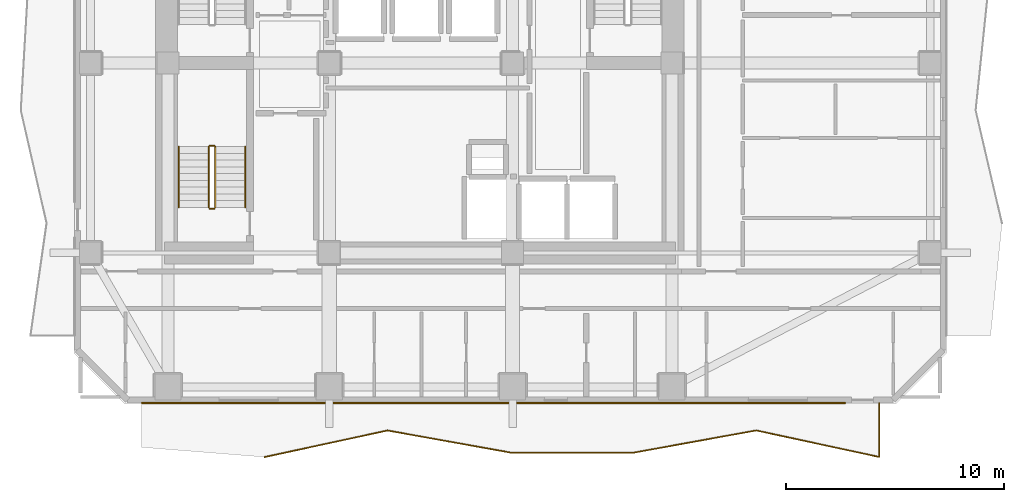
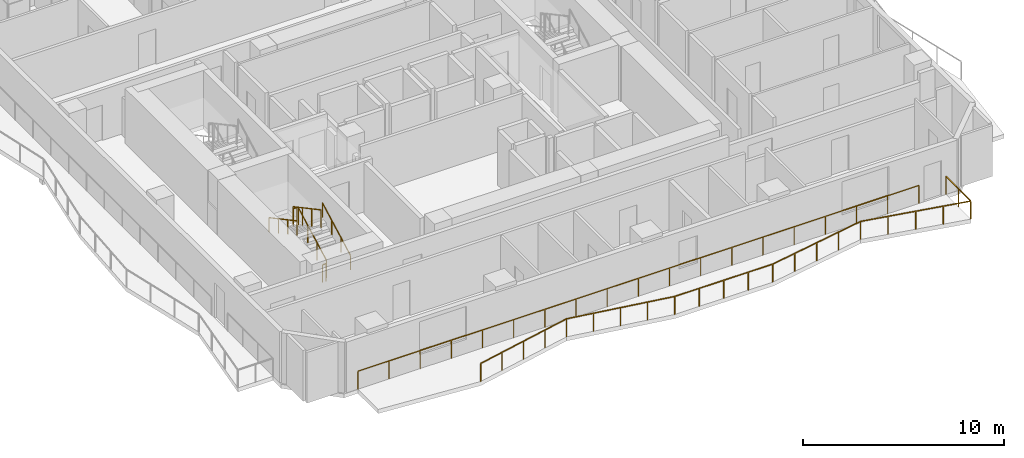
# One storey, part 8 of 11: 8 railings.
"""IFC4 building model written with IfcOpenShell, lengths in metres."""

from ifc_helpers import new_model, si_unit, direction, frame, origin, origin_2d, place, context, subcontext, project, spatial, rectangle, extrude, material, type_object, element, save


model = new_model("IFC4")

# Units and contexts
model_context = context("Model", 3, precision=1e-05, world=origin(), true_north=direction((0.0, 1.0)))
body_context = subcontext(model_context, "Body", "Model", "MODEL_VIEW")
ifc_project = project(units=[si_unit("LENGTHUNIT", "METRE"), si_unit("AREAUNIT", "SQUARE_METRE"), si_unit("VOLUMEUNIT", "CUBIC_METRE"), si_unit("PLANEANGLEUNIT", "RADIAN"), si_unit("MASSUNIT", "GRAM", prefix="KILO")], contexts=[model_context])

# Site, building, storey
site_placement = place(None, origin())
site = spatial("IfcSite", under=ifc_project, at=site_placement, CompositionType="ELEMENT")
building_placement = place(site_placement, origin())
building = spatial("IfcBuilding", under=site, at=building_placement, Name="Solanera Arch Residences", CompositionType="ELEMENT")
storey_placement = place(building_placement, frame((0.0, 0.0, 149.239990234375)))
storey = spatial("IfcBuildingStorey", under=building, at=storey_placement, Name="L43", CompositionType="ELEMENT", Elevation=149.239990234375)

# Railings
ifc_material_1 = material(Name="Steel S355 (ASTM A992 / A572 Grade 50)", Category="steel")
railing_type_1 = type_object("IfcRailingType", Name="Balustrade Railing BL-1100", PredefinedType="BALUSTRADE", material=ifc_material_1)
railing_1_placement = place(storey_placement, frame((17.8330078125, 12.638916015625, 0.0)))
element("IfcRailing", 1, at=railing_1_placement, inside=storey, type_object=railing_type_1, Name="L43 S Balcony Balustrade 1", PredefinedType="BALUSTRADE", context=body_context, shape_type="SweptSolid", body=[
    extrude(rectangle(XDim=0.048095703125, YDim=0.048095703125, at=origin_2d()), frame((0.0, 0.0, 1.09619140625), z_axis=(0.97738460027, 0.211469485165, 0.0), x_axis=(-0.211469485165, 0.97738460027, 0.0)), (0.0, 0.0, 1.0), 5.764404296875),
    extrude(rectangle(XDim=0.048095703125, YDim=0.048095703125, at=origin_2d()), frame((5.634033203125, 1.218994140625, 1.09619140625), z_axis=(0.984243807217, -0.17681665067, 0.0), x_axis=(0.17681665067, 0.984243807217, 0.0)), (0.0, 0.0, 1.0), 5.72314453125),
    extrude(rectangle(XDim=0.048095703125, YDim=0.048095703125, at=origin_2d()), frame((11.26708984375, 0.20703125, 1.09619140625), z_axis=(0.999998977115, -0.001430303669, 0.0), x_axis=(0.001430303669, 0.999998977115, 0.0)), (0.0, 0.0, 1.0), 5.6328125),
    extrude(rectangle(XDim=0.048095703125, YDim=0.048095703125, at=origin_2d()), frame((16.89990234375, 0.198974609375, 1.09619140625), z_axis=(0.98393601554, 0.178521475801, 0.0), x_axis=(-0.178521475801, 0.98393601554, 0.0)), (0.0, 0.0, 1.0), 5.72607421875),
    extrude(rectangle(XDim=0.048095703125, YDim=0.048095703125, at=origin_2d()), frame((22.533935546875, 1.22119140625, 1.09619140625), z_axis=(0.977516934898, -0.210856923026, 0.0), x_axis=(0.210856923026, 0.977516934898, 0.0)), (0.0, 0.0, 1.0), 5.7626953125),
    extrude(rectangle(XDim=0.048095703125, YDim=0.048095703125, at=origin_2d()), frame((28.1669921875, 0.006103515625, 1.09619140625), z_axis=(0.0, 1.0, 0.0), x_axis=(-1.0, 0.0, 0.0)), (0.0, 0.0, 1.0), 2.47509765625),
    extrude(rectangle(XDim=0.0419921875, YDim=0.0419921875, at=origin_2d()), origin(), (0.0, 0.0, 1.0), 1.072021484375),
    extrude(rectangle(XDim=0.0419921875, YDim=0.0419921875, at=origin_2d()), frame((1.408447265625, 0.3046875, 0.0)), (0.0, 0.0, 1.0), 1.072021484375),
    extrude(rectangle(XDim=0.0419921875, YDim=0.0419921875, at=origin_2d()), frame((2.81689453125, 0.609375, 0.0)), (0.0, 0.0, 1.0), 1.072021484375),
    extrude(rectangle(XDim=0.0419921875, YDim=0.0419921875, at=origin_2d()), frame((4.2255859375, 0.914306640625, 0.0)), (0.0, 0.0, 1.0), 1.072021484375),
    extrude(rectangle(XDim=0.0419921875, YDim=0.0419921875, at=origin_2d()), frame((5.634033203125, 1.218994140625, 0.0)), (0.0, 0.0, 1.0), 1.072021484375),
    extrude(rectangle(XDim=0.0419921875, YDim=0.0419921875, at=origin_2d()), frame((7.042236328125, 0.966064453125, 0.0)), (0.0, 0.0, 1.0), 1.072021484375),
    extrude(rectangle(XDim=0.0419921875, YDim=0.0419921875, at=origin_2d()), frame((8.45068359375, 0.712890625, 0.0)), (0.0, 0.0, 1.0), 1.072021484375),
    extrude(rectangle(XDim=0.0419921875, YDim=0.0419921875, at=origin_2d()), frame((9.85888671875, 0.4599609375, 0.0)), (0.0, 0.0, 1.0), 1.072021484375),
    extrude(rectangle(XDim=0.0419921875, YDim=0.0419921875, at=origin_2d()), frame((11.26708984375, 0.20703125, 0.0)), (0.0, 0.0, 1.0), 1.072021484375),
    extrude(rectangle(XDim=0.0419921875, YDim=0.0419921875, at=origin_2d()), frame((12.67529296875, 0.205078125, 0.0)), (0.0, 0.0, 1.0), 1.072021484375),
    extrude(rectangle(XDim=0.0419921875, YDim=0.0419921875, at=origin_2d()), frame((14.08349609375, 0.203125, 0.0)), (0.0, 0.0, 1.0), 1.072021484375),
    extrude(rectangle(XDim=0.0419921875, YDim=0.0419921875, at=origin_2d()), frame((15.49169921875, 0.200927734375, 0.0)), (0.0, 0.0, 1.0), 1.072021484375),
    extrude(rectangle(XDim=0.0419921875, YDim=0.0419921875, at=origin_2d()), frame((16.89990234375, 0.198974609375, 0.0)), (0.0, 0.0, 1.0), 1.072021484375),
    extrude(rectangle(XDim=0.0419921875, YDim=0.0419921875, at=origin_2d()), frame((18.308349609375, 0.45458984375, 0.0)), (0.0, 0.0, 1.0), 1.072021484375),
    extrude(rectangle(XDim=0.0419921875, YDim=0.0419921875, at=origin_2d()), frame((19.716796875, 0.7099609375, 0.0)), (0.0, 0.0, 1.0), 1.072021484375),
    extrude(rectangle(XDim=0.0419921875, YDim=0.0419921875, at=origin_2d()), frame((21.12548828125, 0.965576171875, 0.0)), (0.0, 0.0, 1.0), 1.072021484375),
    extrude(rectangle(XDim=0.0419921875, YDim=0.0419921875, at=origin_2d()), frame((22.533935546875, 1.22119140625, 0.0)), (0.0, 0.0, 1.0), 1.072021484375),
    extrude(rectangle(XDim=0.0419921875, YDim=0.0419921875, at=origin_2d()), frame((23.942138671875, 0.91748046875, 0.0)), (0.0, 0.0, 1.0), 1.072021484375),
    extrude(rectangle(XDim=0.0419921875, YDim=0.0419921875, at=origin_2d()), frame((25.3505859375, 0.61376953125, 0.0)), (0.0, 0.0, 1.0), 1.072021484375),
    extrude(rectangle(XDim=0.0419921875, YDim=0.0419921875, at=origin_2d()), frame((26.7587890625, 0.309814453125, 0.0)), (0.0, 0.0, 1.0), 1.072021484375),
    extrude(rectangle(XDim=0.0419921875, YDim=0.0419921875, at=origin_2d()), frame((28.1669921875, 0.006103515625, 0.0)), (0.0, 0.0, 1.0), 1.072021484375),
    extrude(rectangle(XDim=0.0419921875, YDim=0.0419921875, at=origin_2d()), frame((28.1669921875, 1.24365234375, 0.0)), (0.0, 0.0, 1.0), 1.072021484375),
    extrude(rectangle(XDim=0.0419921875, YDim=0.0419921875, at=origin_2d()), frame((28.1669921875, 2.481201171875, 0.0)), (0.0, 0.0, 1.0), 1.072021484375),
])
railing_2_placement = place(storey_placement, frame((44.44091796875, 15.1201171875, 0.0)))
element("IfcRailing", 2, at=railing_2_placement, inside=storey, type_object=railing_type_1, Name="L43 S Balcony Balustrade 2", PredefinedType="BALUSTRADE", context=body_context, shape_type="SweptSolid", body=[
    extrude(rectangle(XDim=0.048095703125, YDim=0.048095703125, at=origin_2d()), frame((0.0, 0.0, 1.09619140625), z_axis=(-1.0, 0.0, 0.0), x_axis=(0.0, -1.0, 0.0)), (0.0, 0.0, 1.0), 32.240966796875),
    extrude(rectangle(XDim=0.0419921875, YDim=0.0419921875, at=origin_2d()), origin(), (0.0, 0.0, 1.0), 1.072021484375),
    extrude(rectangle(XDim=0.0419921875, YDim=0.0419921875, at=origin_2d()), frame((-1.791259765625, 0.0, 0.0)), (0.0, 0.0, 1.0), 1.072021484375),
    extrude(rectangle(XDim=0.0419921875, YDim=0.0419921875, at=origin_2d()), frame((-3.582275390625, 0.0, 0.0)), (0.0, 0.0, 1.0), 1.072021484375),
    extrude(rectangle(XDim=0.0419921875, YDim=0.0419921875, at=origin_2d()), frame((-5.37353515625, 0.0, 0.0)), (0.0, 0.0, 1.0), 1.072021484375),
    extrude(rectangle(XDim=0.0419921875, YDim=0.0419921875, at=origin_2d()), frame((-7.16455078125, 0.0, 0.0)), (0.0, 0.0, 1.0), 1.072021484375),
    extrude(rectangle(XDim=0.0419921875, YDim=0.0419921875, at=origin_2d()), frame((-8.955810546875, 0.0, 0.0)), (0.0, 0.0, 1.0), 1.072021484375),
    extrude(rectangle(XDim=0.0419921875, YDim=0.0419921875, at=origin_2d()), frame((-10.7470703125, 0.0, 0.0)), (0.0, 0.0, 1.0), 1.072021484375),
    extrude(rectangle(XDim=0.0419921875, YDim=0.0419921875, at=origin_2d()), frame((-12.5380859375, 0.0, 0.0)), (0.0, 0.0, 1.0), 1.072021484375),
    extrude(rectangle(XDim=0.0419921875, YDim=0.0419921875, at=origin_2d()), frame((-14.329345703125, 0.0, 0.0)), (0.0, 0.0, 1.0), 1.072021484375),
    extrude(rectangle(XDim=0.0419921875, YDim=0.0419921875, at=origin_2d()), frame((-16.12060546875, 0.0, 0.0)), (0.0, 0.0, 1.0), 1.072021484375),
    extrude(rectangle(XDim=0.0419921875, YDim=0.0419921875, at=origin_2d()), frame((-17.91162109375, 0.0, 0.0)), (0.0, 0.0, 1.0), 1.072021484375),
    extrude(rectangle(XDim=0.0419921875, YDim=0.0419921875, at=origin_2d()), frame((-19.702880859375, 0.0, 0.0)), (0.0, 0.0, 1.0), 1.072021484375),
    extrude(rectangle(XDim=0.0419921875, YDim=0.0419921875, at=origin_2d()), frame((-21.493896484375, 0.0, 0.0)), (0.0, 0.0, 1.0), 1.072021484375),
    extrude(rectangle(XDim=0.0419921875, YDim=0.0419921875, at=origin_2d()), frame((-23.28515625, 0.0, 0.0)), (0.0, 0.0, 1.0), 1.072021484375),
    extrude(rectangle(XDim=0.0419921875, YDim=0.0419921875, at=origin_2d()), frame((-25.076416015625, 0.0, 0.0)), (0.0, 0.0, 1.0), 1.072021484375),
    extrude(rectangle(XDim=0.0419921875, YDim=0.0419921875, at=origin_2d()), frame((-26.867431640625, 0.0, 0.0)), (0.0, 0.0, 1.0), 1.072021484375),
    extrude(rectangle(XDim=0.0419921875, YDim=0.0419921875, at=origin_2d()), frame((-28.65869140625, 0.0, 0.0)), (0.0, 0.0, 1.0), 1.072021484375),
    extrude(rectangle(XDim=0.0419921875, YDim=0.0419921875, at=origin_2d()), frame((-30.44970703125, 0.0, 0.0)), (0.0, 0.0, 1.0), 1.072021484375),
    extrude(rectangle(XDim=0.0419921875, YDim=0.0419921875, at=origin_2d()), frame((-32.240966796875, 0.0, 0.0)), (0.0, 0.0, 1.0), 1.072021484375),
])
ifc_material_2 = material(Name="Steel S355 (ASTM A992 / A572 Grade 50)", Category="steel")
railing_type_2 = type_object("IfcRailingType", Name="Stair Guardrail GR-1100", PredefinedType="GUARDRAIL", material=ifc_material_2)
railing_3_placement = place(storey_placement, frame((15.570068359375, 24.080078125, 0.151123046875)))
element("IfcRailing", 3, at=railing_3_placement, inside=storey, type_object=railing_type_2, Name="L43 ST-T3 stair guard 1", PredefinedType="GUARDRAIL", context=body_context, shape_type="SweptSolid", body=[
    extrude(rectangle(XDim=0.048095703125, YDim=0.048095703125, at=origin_2d()), frame((0.0, 0.0, 1.076171875), z_axis=(0.0, 0.881580869306, 0.472033018838), x_axis=(-1.0, 0.0, 0.0)), (0.0, 0.0, 1.0), 3.164794921875),
    extrude(rectangle(XDim=0.0419921875, YDim=0.0419921875, at=origin_2d()), origin(), (0.0, 0.0, 1.0), 1.052001953125),
    extrude(rectangle(XDim=0.0419921875, YDim=0.0419921875, at=origin_2d()), frame((0.0, 0.929931640625, 0.498046875)), (0.0, 0.0, 1.0), 1.052001953125),
    extrude(rectangle(XDim=0.0419921875, YDim=0.0419921875, at=origin_2d()), frame((0.0, 1.860107421875, 0.995849609375)), (0.0, 0.0, 1.0), 1.052001953125),
    extrude(rectangle(XDim=0.0419921875, YDim=0.0419921875, at=origin_2d()), frame((0.0, 2.7900390625, 1.493896484375)), (0.0, 0.0, 1.0), 1.052001953125),
])
railing_4_placement = place(storey_placement, frame((15.52001953125, 26.919921875, 1.64501953125)))
element("IfcRailing", 4, at=railing_4_placement, inside=storey, type_object=railing_type_2, Name="L43 ST-T3 stair guard 2", PredefinedType="GUARDRAIL", context=body_context, shape_type="SweptSolid", body=[
    extrude(rectangle(XDim=0.048095703125, YDim=0.048095703125, at=origin_2d()), frame((0.0, 0.0, 1.076171875), z_axis=(-1.0, 0.0, 0.0), x_axis=(0.0, -1.0, 0.0)), (0.0, 0.0, 1.0), 0.199951171875),
    extrude(rectangle(XDim=0.0419921875, YDim=0.0419921875, at=origin_2d()), origin(), (0.0, 0.0, 1.0), 1.052001953125),
    extrude(rectangle(XDim=0.0419921875, YDim=0.0419921875, at=origin_2d()), frame((-0.199951171875, 0.0, 0.0)), (0.0, 0.0, 1.0), 1.052001953125),
])
railing_5_placement = place(storey_placement, frame((15.27001953125, 26.8701171875, 1.81103515625)))
element("IfcRailing", 5, at=railing_5_placement, inside=storey, type_object=railing_type_2, Name="L43 ST-T3 stair guard 3", PredefinedType="GUARDRAIL", context=body_context, shape_type="SweptSolid", body=[
    extrude(rectangle(XDim=0.048095703125, YDim=0.048095703125, at=origin_2d()), frame((0.0, 0.0, 1.076171875), z_axis=(0.0, -0.881580869306, 0.472033018838), x_axis=(1.0, 0.0, 0.0)), (0.0, 0.0, 1.0), 3.164794921875),
    extrude(rectangle(XDim=0.0419921875, YDim=0.0419921875, at=origin_2d()), origin(), (0.0, 0.0, 1.0), 1.052001953125),
    extrude(rectangle(XDim=0.0419921875, YDim=0.0419921875, at=origin_2d()), frame((0.0, -0.929931640625, 0.498046875)), (0.0, 0.0, 1.0), 1.052001953125),
    extrude(rectangle(XDim=0.0419921875, YDim=0.0419921875, at=origin_2d()), frame((0.0, -1.860107421875, 0.995849609375)), (0.0, 0.0, 1.0), 1.052001953125),
    extrude(rectangle(XDim=0.0419921875, YDim=0.0419921875, at=origin_2d()), frame((0.0, -2.7900390625, 1.493896484375)), (0.0, 0.0, 1.0), 1.052001953125),
])
railing_6_placement = place(storey_placement, frame((15.52001953125, 24.030029296875, -0.014892578125)))
element("IfcRailing", 6, at=railing_6_placement, inside=storey, type_object=railing_type_2, Name="L43 ST-T3 stair guard 4", PredefinedType="GUARDRAIL", context=body_context, shape_type="SweptSolid", body=[
    extrude(rectangle(XDim=0.048095703125, YDim=0.048095703125, at=origin_2d()), frame((0.0, 0.0, 1.076171875), z_axis=(-1.0, 0.0, 0.0), x_axis=(0.0, -1.0, 0.0)), (0.0, 0.0, 1.0), 0.199951171875),
    extrude(rectangle(XDim=0.0419921875, YDim=0.0419921875, at=origin_2d()), origin(), (0.0, 0.0, 1.0), 1.052001953125),
    extrude(rectangle(XDim=0.0419921875, YDim=0.0419921875, at=origin_2d()), frame((-0.199951171875, 0.0, 0.0)), (0.0, 0.0, 1.0), 1.052001953125),
])
ifc_material_3 = material(Name="Steel S355 (ASTM A992 / A572 Grade 50)", Category="steel")
railing_type_3 = type_object("IfcRailingType", Name="Stair Wall Handrail HR-920", PredefinedType="HANDRAIL", material=ifc_material_3)
railing_7_placement = place(storey_placement, frame((16.949951171875, 24.080078125, 0.166015625)))
element("IfcRailing", 7, at=railing_7_placement, inside=storey, type_object=railing_type_3, Name="L43 ST-T3 stair handrail 1", PredefinedType="HANDRAIL", context=body_context, shape_type="SweptSolid", body=[
    extrude(rectangle(XDim=0.048095703125, YDim=0.048095703125, at=origin_2d()), frame((0.0, 0.0, 0.8759765625), z_axis=(0.0, 0.881580869306, 0.472033018838), x_axis=(-1.0, 0.0, 0.0)), (0.0, 0.0, 1.0), 3.164794921875),
    extrude(rectangle(XDim=0.0419921875, YDim=0.0419921875, at=origin_2d()), origin(), (0.0, 0.0, 1.0), 0.851806640625),
    extrude(rectangle(XDim=0.0419921875, YDim=0.0419921875, at=origin_2d()), frame((0.0, 0.929931640625, 0.498046875)), (0.0, 0.0, 1.0), 0.851806640625),
    extrude(rectangle(XDim=0.0419921875, YDim=0.0419921875, at=origin_2d()), frame((0.0, 1.860107421875, 0.995849609375)), (0.0, 0.0, 1.0), 0.851806640625),
    extrude(rectangle(XDim=0.0419921875, YDim=0.0419921875, at=origin_2d()), frame((0.0, 2.7900390625, 1.493896484375)), (0.0, 0.0, 1.0), 0.851806640625),
])
railing_8_placement = place(storey_placement, frame((13.889892578125, 26.8701171875, 1.825927734375)))
element("IfcRailing", 8, at=railing_8_placement, inside=storey, type_object=railing_type_3, Name="L43 ST-T3 stair handrail 2", PredefinedType="HANDRAIL", context=body_context, shape_type="SweptSolid", body=[
    extrude(rectangle(XDim=0.048095703125, YDim=0.048095703125, at=origin_2d()), frame((0.0, 0.0, 0.8759765625), z_axis=(0.0, -0.881548766853, 0.472092969298), x_axis=(1.0, 0.0, 0.0)), (0.0, 0.0, 1.0), 3.1650390625),
    extrude(rectangle(XDim=0.0419921875, YDim=0.0419921875, at=origin_2d()), origin(), (0.0, 0.0, 1.0), 0.851806640625),
    extrude(rectangle(XDim=0.0419921875, YDim=0.0419921875, at=origin_2d()), frame((0.0, -0.929931640625, 0.498046875)), (0.0, 0.0, 1.0), 0.851806640625),
    extrude(rectangle(XDim=0.0419921875, YDim=0.0419921875, at=origin_2d()), frame((0.0, -1.860107421875, 0.99609375)), (0.0, 0.0, 1.0), 0.851806640625),
    extrude(rectangle(XDim=0.0419921875, YDim=0.0419921875, at=origin_2d()), frame((0.0, -2.7900390625, 1.494140625)), (0.0, 0.0, 1.0), 0.851806640625),
])

save(model, "model.ifc")
